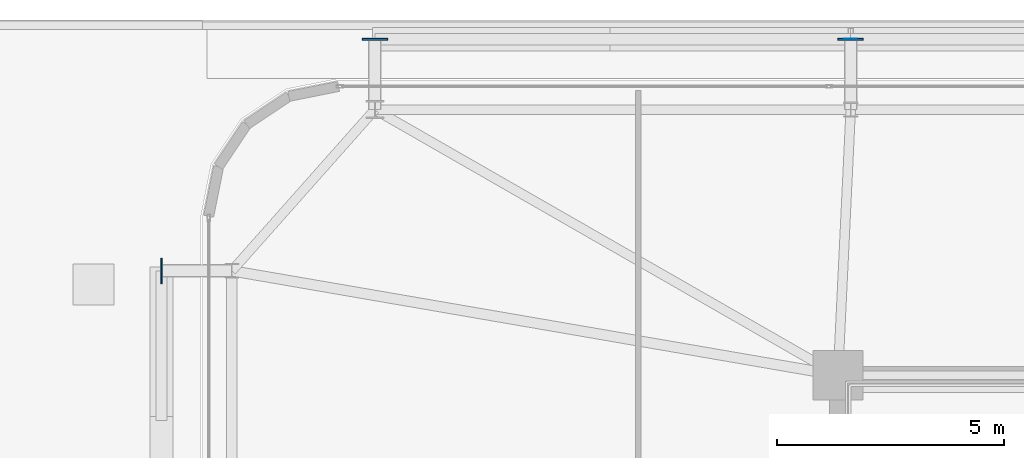
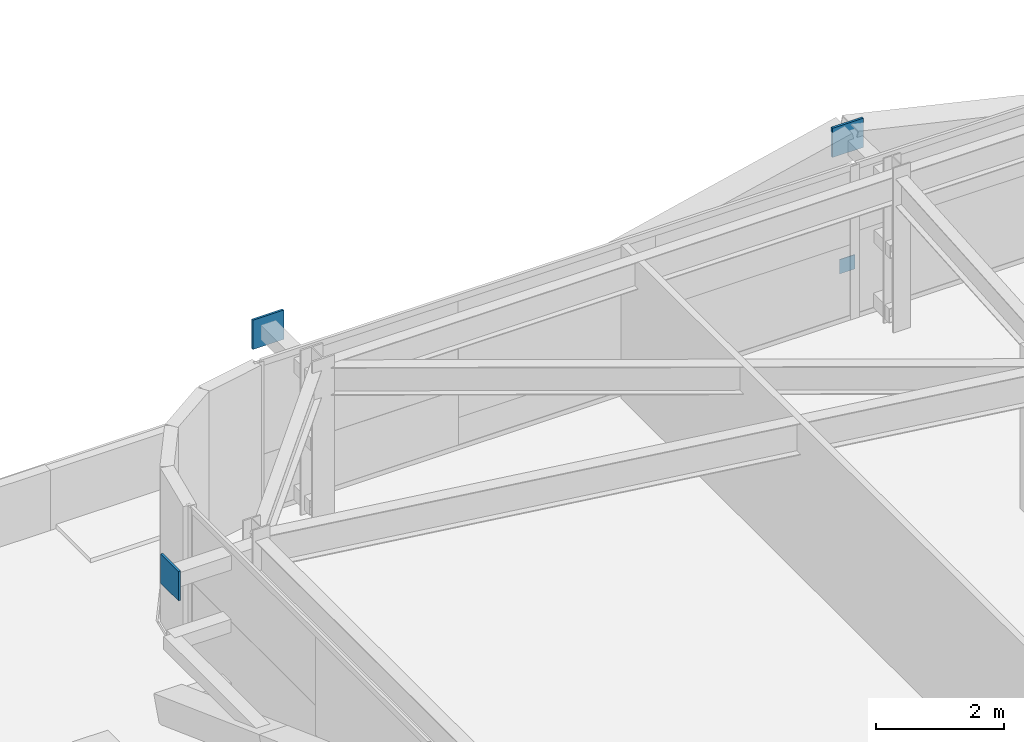
# One storey, part 45 of 56: 4 plates.
"""IFC4 building model written with IfcOpenShell, lengths in metres."""

from ifc_helpers import new_model, si_unit, direction, frame, origin, origin_2d, place, context, subcontext, project, spatial, rectangle, extrude, source, transform, mapped, material, layer, layer_set, type_object, element, save


model = new_model("IFC4")

# Units and contexts
model_context = context("Model", 3, precision=1e-05, world=origin(), true_north=direction((0.0, 1.0)))
body_context = subcontext(model_context, "Body", "Model", "MODEL_VIEW")
ifc_project = project(units=[si_unit("LENGTHUNIT", "METRE"), si_unit("AREAUNIT", "SQUARE_METRE"), si_unit("VOLUMEUNIT", "CUBIC_METRE"), si_unit("PLANEANGLEUNIT", "RADIAN"), si_unit("MASSUNIT", "GRAM", prefix="KILO")], contexts=[model_context])

# Site, building, storey
site_placement = place(None, origin())
site = spatial("IfcSite", under=ifc_project, at=site_placement, CompositionType="ELEMENT")
building_placement = place(site_placement, origin())
building = spatial("IfcBuilding", under=site, at=building_placement, Name="Taldren Reach Tower", CompositionType="ELEMENT")
storey_placement = place(building_placement, frame((0.0, 0.0, 16.800048828125)))
storey = spatial("IfcBuildingStorey", under=building, at=storey_placement, Name="L04", CompositionType="ELEMENT", Elevation=16.800048828125)

# Plates
ifc_material = material(Name="Steel Gr 450 (C450L0)", Category="steel")
ifc_layer_1 = layer(ifc_material, 0.0400390625)
ifc_layer_set_1 = layer_set([ifc_layer_1], Name="Steel Gr 450 (C450L0)")
plate_type_1 = type_object("IfcPlateType", Name="PL-GUSSET-40", PredefinedType="SHEET", material=ifc_layer_set_1)
shared_shape_1 = source(origin(), body_context, "Body", "SweptSolid", [
    extrude(rectangle(XDim=0.56005859375, YDim=0.0400390625, at=origin_2d()), origin(), (0.0, 0.0, 1.0), 0.56005859375),
])
for number, where, z_axis, x_axis, name in (
    (1, (8.800048828125, 39.39990234375, 2.369873046875), (0.0, 0.0, 1.0), (1.0, 0.0, 0.0), "Exoskeleton star-node gusset plate B1-N1 L04"),
    (2, (19.280029296875, 39.39990234375, 2.369873046875), (0.0, 0.0, 1.0), (1.0, 0.0, 0.0), "Exoskeleton star-node gusset plate B1-N2 L04"),
    (3, (4.10009765625, 34.300048828125, 2.369873046875), (0.0, 0.0, 1.0), (0.0, 1.0, 0.0), "Exoskeleton star-node gusset plate B1-W3 L04"),
):
    element("IfcPlate", number, at=place(storey_placement, frame(where, z_axis=z_axis, x_axis=x_axis)), inside=storey, type_object=plate_type_1, Name=name, PredefinedType="SHEET", context=body_context, shape_type="MappedRepresentation", body=[
        mapped(shared_shape_1, transform((0.0, 0.0, 0.0), scale=1.0)),
    ])
ifc_layer_2 = layer(ifc_material, 0.011962890625)
ifc_layer_set_2 = layer_set([ifc_layer_2], Name="Steel Gr 450 (C450L0)")
plate_type_2 = type_object("IfcPlateType", Name="PL-CAP-275", PredefinedType="SHEET", material=ifc_layer_set_2)
shared_shape_2 = source(origin(), body_context, "Body", "SweptSolid", [
    extrude(rectangle(XDim=0.27490234375, YDim=0.011962890625, at=origin_2d()), origin(), (0.0, 0.0, 1.0), 0.27490234375),
])
plate_placement = place(storey_placement, frame((19.280029296875, 39.406005859375, 0.08251953125), z_axis=(0.0, 0.0, 1.0), x_axis=(1.0, 0.0, 0.0)))
element("IfcPlate", 4, at=plate_placement, inside=storey, type_object=plate_type_2, Name="Tie strut end cap plate B1-N2 L04", PredefinedType="SHEET", context=body_context, shape_type="MappedRepresentation", body=[
    mapped(shared_shape_2, transform((0.0, 0.0, 0.0), scale=1.0)),
])

save(model, "model.ifc")
